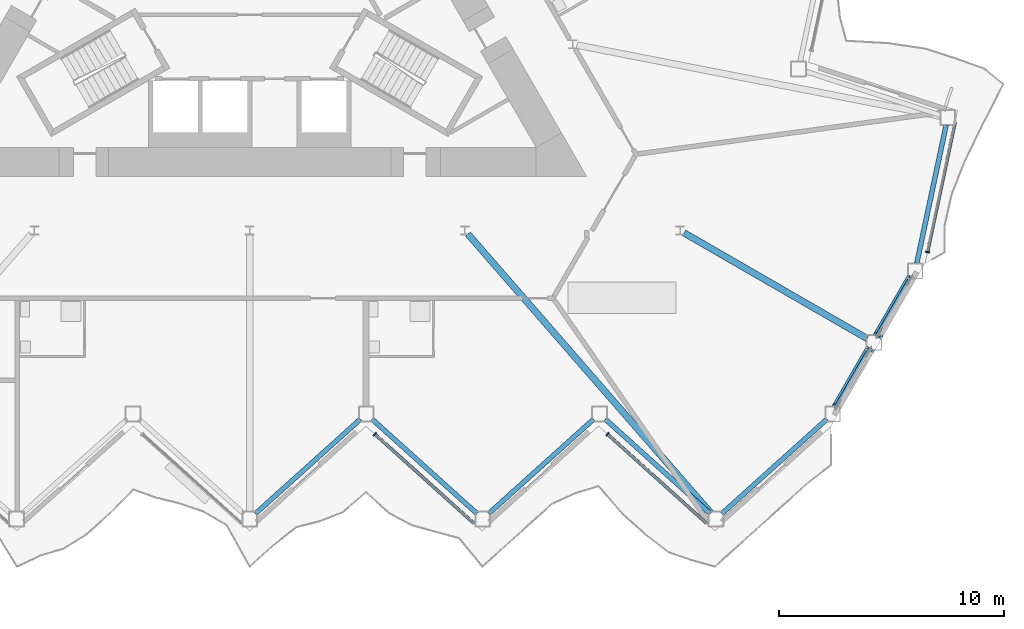
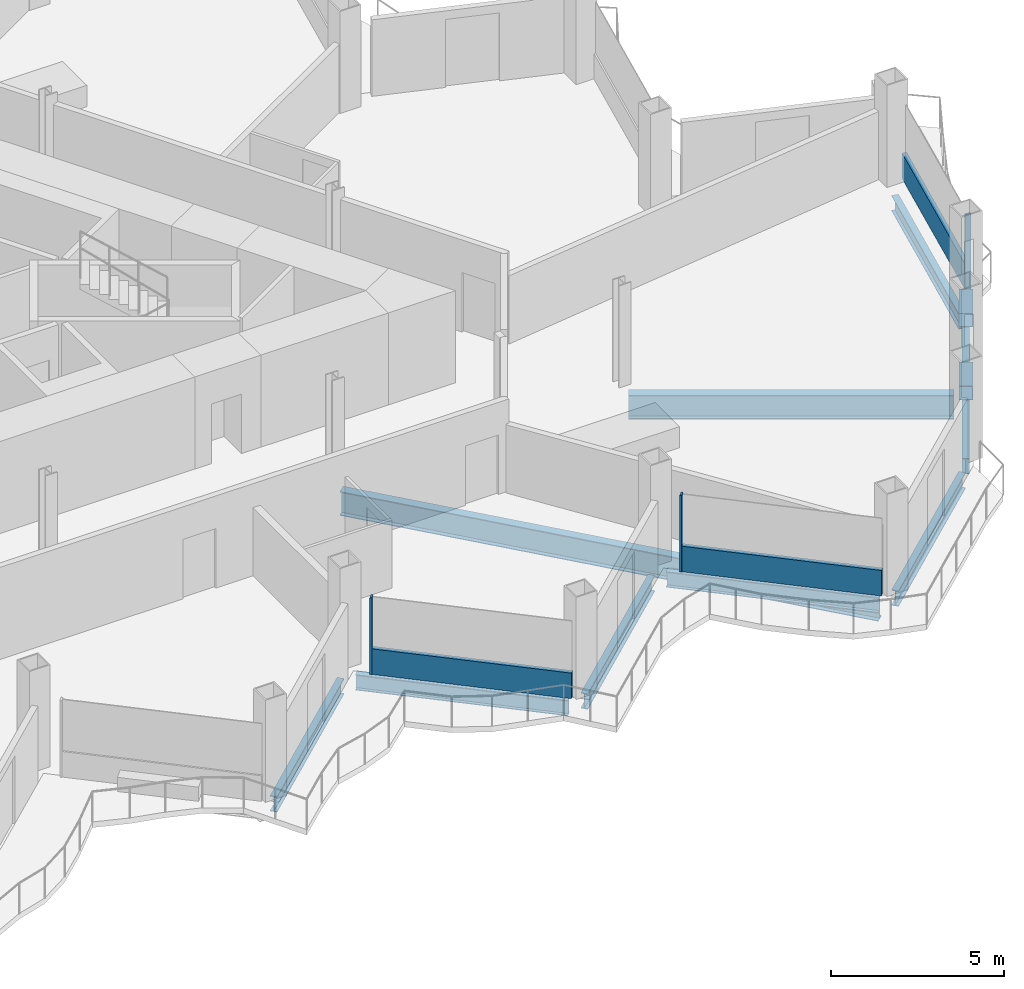
# One storey, part 6 of 23: 10 beams, 8 members, 3 elements without a shape of their own.
"""IFC4 building model written with IfcOpenShell, lengths in metres."""

import ifcopenshell
import ifcopenshell.guid

model = None  # the IFC model being written
_history = None  # IfcOwnerHistory: only IFC2X3 demands one
_inside = {}  # id of a spatial element -> (the spatial element, [elements in it])
_under = {}  # id of a project, library or spatial element -> (it, [spatial elements below it])
_declared = {}  # id of a project -> (the project, [libraries it declares])
_typed = {}  # id of a type object -> (the type object, [elements of that type])
_made_of = {}  # id of a material, layer set ... -> (it, [elements and type objects made of it])


def new_model(schema):
    """Start an empty IFC model of exactly this schema.

    Asked for "IFC4X3", IfcOpenShell would pick the latest addendum, in which some entities
    have other attributes; the version numbers below select the first issue.
    IFC2X3 requires an IfcOwnerHistory on every rooted entity: one is made here for all.
    """
    global model, _history
    if schema == "IFC4X3":
        model = ifcopenshell.file(schema_version=(4, 3, 0, 0))
    else:
        model = ifcopenshell.file(schema=schema)
    _inside.clear()
    _under.clear()
    _declared.clear()
    _typed.clear()
    _made_of.clear()
    _history = None
    if model.schema == "IFC2X3":
        org = make("IfcOrganization", Name="unknown")
        user = make(
            "IfcPersonAndOrganization",
            ThePerson=make("IfcPerson", FamilyName="unknown"),
            TheOrganization=org,
        )
        app = make(
            "IfcApplication",
            ApplicationDeveloper=org,
            Version="unknown",
            ApplicationFullName="unknown",
            ApplicationIdentifier="unknown",
        )
        _history = make(
            "IfcOwnerHistory",
            OwningUser=user,
            OwningApplication=app,
            ChangeAction="ADDED",
            CreationDate=0,
        )
    return model


def make(cls, **values):
    """One entity of the class cls with the attributes given. An attribute that is None is left unset."""
    return model.create_entity(
        cls, **{name: value for name, value in values.items() if value is not None}
    )


def rooted(cls, **values):
    """An entity with a GlobalId (a new one), such as an element, a storey or a relation."""
    return make(cls, GlobalId=ifcopenshell.guid.new(), OwnerHistory=_history, **values)


def si_unit(unit_type, name, prefix=None):
    """IfcSIUnit, for example si_unit("LENGTHUNIT", "METRE", prefix="MILLI")."""
    return make("IfcSIUnit", UnitType=unit_type, Prefix=prefix, Name=name)


def assignment(units):
    """IfcUnitAssignment: the units of a project."""
    return None if units is None else make("IfcUnitAssignment", Units=units)


def point(xyz):
    """IfcCartesianPoint."""
    return None if xyz is None else make("IfcCartesianPoint", Coordinates=xyz)


def direction(xyz):
    """IfcDirection."""
    return None if xyz is None else make("IfcDirection", DirectionRatios=xyz)


def frame(location, z_axis=None, x_axis=None):
    """IfcAxis2Placement3D, a coordinate frame: its origin and axes. An axis left out is left unset."""
    return make(
        "IfcAxis2Placement3D",
        Location=point(location),
        Axis=direction(z_axis),
        RefDirection=direction(x_axis),
    )


def frame_2d(location, x_axis=None):
    """IfcAxis2Placement2D, a coordinate frame in the plane: its origin and x axis."""
    return make(
        "IfcAxis2Placement2D", Location=point(location), RefDirection=direction(x_axis)
    )


def origin():
    """The frame at (0, 0, 0) with its axes left unset."""
    return frame((0.0, 0.0, 0.0))


def origin_2d():
    """The frame at (0, 0) in the plane with its x axis left unset."""
    return frame_2d((0.0, 0.0))


def place(relative_to, where):
    """IfcLocalPlacement: puts the frame where relative to a parent placement (None: the world)."""
    return make(
        "IfcLocalPlacement", PlacementRelTo=relative_to, RelativePlacement=where
    )


def context(
    kind, dimensions, precision=None, world=None, true_north=None, identifier=None
):
    """IfcGeometricRepresentationContext, for example the 3D "Model" context."""
    return make(
        "IfcGeometricRepresentationContext",
        ContextIdentifier=identifier,
        ContextType=kind,
        CoordinateSpaceDimension=dimensions,
        Precision=precision,
        WorldCoordinateSystem=world,
        TrueNorth=true_north,
    )


def subcontext(parent, identifier, kind, view, scale=None):
    """IfcGeometricRepresentationSubContext, for example "Body" below "Model"."""
    return make(
        "IfcGeometricRepresentationSubContext",
        ContextIdentifier=identifier,
        ContextType=kind,
        ParentContext=parent,
        TargetScale=scale,
        TargetView=view,
    )


def project(units=None, contexts=None):
    """IfcProject with its units and contexts."""
    return rooted(
        "IfcProject",
        Name="project",
        RepresentationContexts=contexts,
        UnitsInContext=assignment(units),
    )


def spatial(cls, under=None, at=None, **own):
    """A site, building, storey or space (cls), placed at a placement, below another one or the project."""
    s = rooted(cls, ObjectPlacement=at, **own)
    if under is not None:
        _under.setdefault(under.id(), (under, []))[1].append(s)
    return s


def profile(cls, at=None, kind="AREA", **sizes):
    """A parametric profile (cls). Its sizes go by their IFC names, for example OverallWidth=200.0."""
    return make(cls, ProfileType=kind, Position=at, **sizes)


def rectangle(**sizes):
    """IfcRectangleProfileDef."""
    return profile("IfcRectangleProfileDef", **sizes)


def hollow_rectangle(**sizes):
    """IfcRectangleHollowProfileDef."""
    return profile("IfcRectangleHollowProfileDef", **sizes)


def i_section(**sizes):
    """IfcIShapeProfileDef."""
    return profile("IfcIShapeProfileDef", **sizes)


def extrude(swept, where, along, depth):
    """IfcExtrudedAreaSolid: the profile swept, set in the frame where, extruded along a direction by depth."""
    return make(
        "IfcExtrudedAreaSolid",
        SweptArea=swept,
        Position=where,
        ExtrudedDirection=direction(along),
        Depth=depth,
    )


def shape(context_of_items, identifier, shape_type, items):
    """IfcShapeRepresentation: the items that make up one representation, for example the "Body"."""
    return make(
        "IfcShapeRepresentation",
        ContextOfItems=context_of_items,
        RepresentationIdentifier=identifier,
        RepresentationType=shape_type,
        Items=items,
    )


def material(Name=None, Category=None):
    """IfcMaterial."""
    return make("IfcMaterial", Name=Name, Category=Category)


def layer(
    of_material, thickness, ventilated=None, Name=None, Category=None, Priority=None
):
    """IfcMaterialLayer: one layer of a wall or slab, of a material (None: an air gap)."""
    return make(
        "IfcMaterialLayer",
        Material=of_material,
        LayerThickness=thickness,
        IsVentilated=ventilated,
        Name=Name,
        Category=Category,
        Priority=Priority,
    )


def layer_set(layers, Name=None):
    """IfcMaterialLayerSet."""
    return make("IfcMaterialLayerSet", MaterialLayers=layers, LayerSetName=Name)


def material_profile(
    of_material, cross_section, Name=None, Category=None, Priority=None
):
    """IfcMaterialProfile: a cross section and its material."""
    return make(
        "IfcMaterialProfile",
        Name=Name,
        Material=of_material,
        Profile=cross_section,
        Priority=Priority,
        Category=Category,
    )


def profile_set(profiles, Name=None, composite=None):
    """IfcMaterialProfileSet."""
    return make(
        "IfcMaterialProfileSet",
        Name=Name,
        MaterialProfiles=profiles,
        CompositeProfile=composite,
    )


def made_of(thing, what):
    """Note that an element or type object is made of a material, layer set ...; save() writes the relation."""
    if what is not None:
        _made_of.setdefault(what.id(), (what, []))[1].append(thing)
    return thing


def type_object(cls, material=None, **own):
    """A type object (cls), such as IfcWallType, which elements share."""
    return made_of(rooted(cls, **own), material)


def element(
    cls,
    number,
    at=None,
    inside=None,
    cuts=None,
    type_object=None,
    material=None,
    context=None,
    identifier="Body",
    shape_type=None,
    held_by="IfcProductDefinitionShape",
    body=None,
    shapes=None,
    **own,
):
    """One element of the class cls, such as IfcWall. Its Tag is "e" and its number.

    at: its placement. inside: the storey or other place that contains it. cuts: it is an
    opening in that element (IfcRelVoidsElement). A single representation is given by context,
    identifier, shape_type and body (its items); several are given by shapes. held_by: the class
    of the entity that holds the representations. save() writes the other relations.
    """
    e = rooted(cls, Tag="e%d" % number, ObjectPlacement=at, **own)
    if body is not None:
        shapes = [shape(context, identifier, shape_type, body)]
    if shapes is not None:
        e.Representation = make(held_by, Representations=shapes)
    if inside is not None:
        _inside.setdefault(inside.id(), (inside, []))[1].append(e)
    if cuts is not None:
        rooted(
            "IfcRelVoidsElement", RelatingBuildingElement=cuts, RelatedOpeningElement=e
        )
    if type_object is not None:
        _typed.setdefault(type_object.id(), (type_object, []))[1].append(e)
    return made_of(e, material)


def aggregate(whole, parts):
    """IfcRelAggregates: a whole, such as a stair, and the parts it consists of."""
    return rooted("IfcRelAggregates", RelatingObject=whole, RelatedObjects=parts)


def save(model, path):
    """Write the relations noted so far, then the file.

    IfcRelAggregates (storeys below a building ...), IfcRelContainedInSpatialStructure (elements
    in a storey), IfcRelDefinesByType, IfcRelAssociatesMaterial and IfcRelDeclares: one each for
    every whole, place, type object, material and project.
    """
    for whole, parts in _under.values():
        aggregate(whole, parts)
    for where, things in _inside.values():
        rooted(
            "IfcRelContainedInSpatialStructure",
            RelatedElements=things,
            RelatingStructure=where,
        )
    for kind, things in _typed.values():
        rooted("IfcRelDefinesByType", RelatedObjects=things, RelatingType=kind)
    for what, things in _made_of.values():
        rooted("IfcRelAssociatesMaterial", RelatedObjects=things, RelatingMaterial=what)
    for by, libraries in _declared.values():
        rooted("IfcRelDeclares", RelatingContext=by, RelatedDefinitions=libraries)
    model.write(path)


model = new_model("IFC4")

# Units and contexts
model_context = context("Model", 3, precision=1e-05, world=origin(), true_north=direction((0.0, 1.0)))
body_context = subcontext(model_context, "Body", "Model", "MODEL_VIEW")
ifc_project = project(units=[si_unit("LENGTHUNIT", "METRE"), si_unit("AREAUNIT", "SQUARE_METRE"), si_unit("VOLUMEUNIT", "CUBIC_METRE"), si_unit("PLANEANGLEUNIT", "RADIAN"), si_unit("MASSUNIT", "GRAM", prefix="KILO")], contexts=[model_context])

# Site, building, storey
site_placement = place(None, origin())
site = spatial("IfcSite", under=ifc_project, at=site_placement, CompositionType="ELEMENT")
building_placement = place(site_placement, origin())
building = spatial("IfcBuilding", under=site, at=building_placement, Name="Cormorant Prow Tower", CompositionType="ELEMENT")
storey_placement = place(building_placement, frame((0.0, 0.0, 241.800048828125)))
storey = spatial("IfcBuildingStorey", under=building, at=storey_placement, Name="L53", CompositionType="ELEMENT", Elevation=241.800048828125)

# Members
ifc_material_1 = material(Name="Structural steel ASTM A500 Gr C", Category="steel")
ifc_material_profile_1 = material_profile(ifc_material_1, hollow_rectangle(XDim=0.406494140625, YDim=0.406494140625, WallThickness=0.01171875, at=origin_2d()), Name="HSS16x16x1/2")
ifc_profile_set_1 = profile_set([ifc_material_profile_1], Name="Structural steel ASTM A500 Gr C")
member_type_1 = type_object("IfcMemberType", Name="Chamfer brace HSS16x16x1/2", PredefinedType="BRACE", material=ifc_profile_set_1)
for number, where, z_axis, x_axis, name in (
    (1, (27.593505859375, -16.353271484375, 0.74951171875), (-0.462773096913, -0.801606962687, 0.378506721399), (0.866041729639, -0.499971721724, 0.0), "Chamfer brace BR2 at ESE00 L53"),
    (2, (29.4287109375, -13.174560546875, 0.74951171875), (-0.462773096913, -0.801606962687, 0.378506721399), (0.866041729639, -0.499971721724, 0.0), "Chamfer brace BR2 at ESE01 L53"),
):
    element("IfcMember", number, at=place(storey_placement, frame(where, z_axis=z_axis, x_axis=x_axis)), inside=storey, type_object=member_type_1, Name=name, PredefinedType="BRACE", context=body_context, shape_type="SweptSolid", body=[
        extrude(hollow_rectangle(XDim=0.406494140625, YDim=0.406494140625, WallThickness=0.01171875, at=origin_2d()), origin(), (0.0, 0.0, 1.0), 3.17529296875),
    ])

# Curtain wall, member
ifc_material_2 = material(Name="Aluminium 6063-T6", Category="aluminium")
ifc_layer = layer(ifc_material_2, 0.179931640625)
ifc_layer_set = layer_set([ifc_layer], Name="Aluminium 6063-T6")
curtain_wall_type = type_object("IfcCurtainWallType", Name="Hotel unitised curtain wall 180", PredefinedType="NOTDEFINED", material=ifc_layer_set)
curtain_wall_1_placement = place(storey_placement, origin())
curtain_wall_1 = element("IfcCurtainWall", 3, at=curtain_wall_1_placement, inside=storey, type_object=curtain_wall_type, Name="Hotel curtain wall S06", PredefinedType="NOTDEFINED")
ifc_material_3 = material(Name="Aluminium 6063-T6", Category="aluminium")
ifc_material_profile_2 = material_profile(ifc_material_3, rectangle(XDim=0.179931640625, YDim=0.06005859375, at=origin_2d()), Name="Hotel mullion 60x180")
ifc_profile_set_2 = profile_set([ifc_material_profile_2], Name="Aluminium 6063-T6")
member_type_2 = type_object("IfcMemberType", Name="Hotel mullion 60x180", PredefinedType="MULLION", material=ifc_profile_set_2)
member_1_placement = place(storey_placement, frame((5.5703125, -20.113525390625, 0.0), z_axis=(0.0, 0.0, 1.0), x_axis=(0.669130621132, 0.743144812176, 0.0)))
member_1 = element("IfcMember", 4, at=member_1_placement, type_object=member_type_2, Name="Hotel mullion S06", PredefinedType="MULLION", context=body_context, shape_type="SweptSolid", body=[
    extrude(rectangle(XDim=0.179931640625, YDim=0.06005859375, at=origin_2d()), origin(), (0.0, 0.0, 1.0), 2.700927734375),
])

curtain_wall_2_placement = place(storey_placement, origin())
curtain_wall_2 = element("IfcCurtainWall", 5, at=curtain_wall_2_placement, inside=storey, type_object=curtain_wall_type, Name="Hotel curtain wall S08", PredefinedType="NOTDEFINED")
member_2_placement = place(storey_placement, frame((15.921630859375, -20.113525390625, 0.0), z_axis=(0.0, 0.0, 1.0), x_axis=(0.669130621132, 0.743144812176, 0.0)))
member_2 = element("IfcMember", 6, at=member_2_placement, type_object=member_type_2, Name="Hotel mullion S08", PredefinedType="MULLION", context=body_context, shape_type="SweptSolid", body=[
    extrude(rectangle(XDim=0.179931640625, YDim=0.06005859375, at=origin_2d()), origin(), (0.0, 0.0, 1.0), 2.700927734375),
])

curtain_wall_3_placement = place(storey_placement, origin())
curtain_wall_3 = element("IfcCurtainWall", 7, at=curtain_wall_3_placement, inside=storey, type_object=curtain_wall_type, Name="Hotel curtain wall ENE00", PredefinedType="NOTDEFINED")
member_3_placement = place(storey_placement, frame((30.16064453125, -12.012939453125, 0.0), z_axis=(0.0, 0.0, 1.0), x_axis=(-0.978147605727, 0.207911667327, 0.0)))
member_3 = element("IfcMember", 8, at=member_3_placement, type_object=member_type_2, Name="Hotel mullion ENE00", PredefinedType="MULLION", context=body_context, shape_type="SweptSolid", body=[
    extrude(rectangle(XDim=0.179931640625, YDim=0.06005859375, at=origin_2d()), origin(), (0.0, 0.0, 1.0), 2.700927734375),
])

# Member
ifc_material_4 = material(Name="Terracotta", Category="masonry")
ifc_material_profile_3 = material_profile(ifc_material_4, rectangle(XDim=0.139892578125, YDim=0.89990234375, at=origin_2d()), Name="Hotel terracotta spandrel rail 140x900")
ifc_profile_set_3 = profile_set([ifc_material_profile_3], Name="Terracotta")
member_type_3 = type_object("IfcMemberType", Name="Hotel terracotta spandrel rail 140x900", PredefinedType="USERDEFINED", material=ifc_profile_set_3)
member_4_placement = place(storey_placement, frame((5.592529296875, -20.133544921875, 0.449951171875), z_axis=(0.743135764778, -0.669140669148, 0.0), x_axis=(0.669140669148, 0.743135764778, 0.0)))
member_4 = element("IfcMember", 9, at=member_4_placement, type_object=member_type_3, Name="Hotel spandrel rail S06", ObjectType="TRANSOM", PredefinedType="USERDEFINED", context=body_context, shape_type="SweptSolid", body=[
    extrude(rectangle(XDim=0.139892578125, YDim=0.89990234375, at=origin_2d()), origin(), (0.0, 0.0, 1.0), 5.902587890625),
])

aggregate(curtain_wall_1, [member_1, member_4])

member_5_placement = place(storey_placement, frame((15.944091796875, -20.133544921875, 0.449951171875), z_axis=(0.743135764778, -0.669140669148, 0.0), x_axis=(0.669140669148, 0.743135764778, 0.0)))
member_5 = element("IfcMember", 10, at=member_5_placement, type_object=member_type_3, Name="Hotel spandrel rail S08", ObjectType="TRANSOM", PredefinedType="USERDEFINED", context=body_context, shape_type="SweptSolid", body=[
    extrude(rectangle(XDim=0.139892578125, YDim=0.89990234375, at=origin_2d()), origin(), (0.0, 0.0, 1.0), 5.902587890625),
])

aggregate(curtain_wall_2, [member_2, member_5])

member_6_placement = place(storey_placement, frame((30.1669921875, -11.983642578125, 0.449951171875), z_axis=(0.207921579045, 0.978145498874, 0.0), x_axis=(-0.978145498874, 0.207921579045, 0.0)))
member_6 = element("IfcMember", 11, at=member_6_placement, type_object=member_type_3, Name="Hotel spandrel rail ENE00", ObjectType="TRANSOM", PredefinedType="USERDEFINED", context=body_context, shape_type="SweptSolid", body=[
    extrude(rectangle(XDim=0.139892578125, YDim=0.89990234375, at=origin_2d()), origin(), (0.0, 0.0, 1.0), 5.902587890625),
])

aggregate(curtain_wall_3, [member_3, member_6])

# Beams
ifc_material_5 = material(Name="Structural steel ASTM A992 Gr 50", Category="steel")
ifc_material_profile_4 = material_profile(ifc_material_5, i_section(OverallWidth=0.29296875, OverallDepth=0.845703125, WebThickness=0.015380859375, FlangeThickness=0.0244140625, at=origin_2d()), Name="W33x141")
ifc_profile_set_4 = profile_set([ifc_material_profile_4], Name="Structural steel ASTM A992 Gr 50")
beam_type_1 = type_object("IfcBeamType", Name="Radial floor beam W33x141", PredefinedType="BEAM", material=ifc_profile_set_4)
beam_1_placement = place(storey_placement, frame((9.70947265625, -11.210693359375, -0.77294921875), z_axis=(0.656874593387, -0.753999846527, 0.0), x_axis=(0.753999846527, 0.656874593387, 0.0)))
element("IfcBeam", 12, at=beam_1_placement, inside=storey, type_object=beam_type_1, Name="Radial floor beam FB2 8 L53", PredefinedType="BEAM", context=body_context, shape_type="SweptSolid", body=[
    extrude(i_section(OverallWidth=0.29296875, OverallDepth=0.845703125, WebThickness=0.015380859375, FlangeThickness=0.0244140625, at=origin_2d()), origin(), (0.0, 0.0, 1.0), 16.4619140625),
])
beam_2_placement = place(storey_placement, frame((19.32958984375, -11.159912109375, -0.77294921875), z_axis=(0.866021726843, -0.500006368596, 0.0), x_axis=(0.500006368596, 0.866021726843, 0.0)))
element("IfcBeam", 13, at=beam_2_placement, inside=storey, type_object=beam_type_1, Name="Radial floor beam FB2 9 L53", PredefinedType="BEAM", context=body_context, shape_type="SweptSolid", body=[
    extrude(i_section(OverallWidth=0.29296875, OverallDepth=0.845703125, WebThickness=0.015380859375, FlangeThickness=0.0244140625, at=origin_2d()), origin(), (0.0, 0.0, 1.0), 9.40380859375),
])
ifc_material_6 = material(Name="Structural steel ASTM A992 Gr 50", Category="steel")
ifc_material_profile_5 = material_profile(ifc_material_6, i_section(OverallWidth=0.2138671875, OverallDepth=0.549072265625, WebThickness=0.0146484375, FlangeThickness=0.023681640625, at=origin_2d()), Name="W21x93")
ifc_profile_set_5 = profile_set([ifc_material_profile_5], Name="Structural steel ASTM A992 Gr 50")
beam_type_2 = type_object("IfcBeamType", Name="Spandrel beam W21x93", PredefinedType="SPANDREL", material=ifc_profile_set_5)
for number, where, z_axis, x_axis, name in (
    (14, (0.260009765625, -23.65283203125, -0.62451171875), (0.743156918576, 0.669117175368, 0.0), (-0.669117175368, 0.743156918576, 0.0), "Spandrel beam SB2 S05-S06 L53"),
    (15, (5.4482421875, -19.44970703125, -0.62451171875), (0.743156918576, -0.669117175368, 0.0), (0.669117175368, 0.743156918576, 0.0), "Spandrel beam SB2 S06-S07 L53"),
    (16, (10.636474609375, -23.65283203125, -0.62451171875), (0.743156918576, 0.669117175368, 0.0), (-0.669117175368, 0.743156918576, 0.0), "Spandrel beam SB2 S07-S08 L53"),
    (17, (15.82470703125, -19.44970703125, -0.62451171875), (0.743156918576, -0.669117175368, 0.0), (0.669117175368, 0.743156918576, 0.0), "Spandrel beam SB2 S08-S09 L53"),
    (18, (21.012939453125, -23.65283203125, -0.62451171875), (0.743156918576, 0.669117175368, 0.0), (-0.669117175368, 0.743156918576, 0.0), "Spandrel beam SB2 S09-ESE00 L53"),
):
    element("IfcBeam", number, at=place(storey_placement, frame(where, z_axis=z_axis, x_axis=x_axis)), inside=storey, type_object=beam_type_2, Name=name, PredefinedType="SPANDREL", context=body_context, shape_type="SweptSolid", body=[
        extrude(i_section(OverallWidth=0.2138671875, OverallDepth=0.549072265625, WebThickness=0.0146484375, FlangeThickness=0.023681640625, at=origin_2d()), origin(), (0.0, 0.0, 1.0), 6.281494140625),
    ])
for number, where, z_axis, x_axis, name in (
    (19, (26.1162109375, -18.912353515625, -0.62451171875), (0.499966725515, 0.866044613965, 0.0), (-0.866044613965, 0.499966725515, 0.0), "Spandrel beam SB2 ESE00-ESE01 L53"),
    (20, (27.951416015625, -15.733642578125, -0.62451171875), (0.499966725515, 0.866044613965, 0.0), (-0.866044613965, 0.499966725515, 0.0), "Spandrel beam SB2 ESE01-ENE00 L53"),
):
    element("IfcBeam", number, at=place(storey_placement, frame(where, z_axis=z_axis, x_axis=x_axis)), inside=storey, type_object=beam_type_2, Name=name, PredefinedType="SPANDREL", context=body_context, shape_type="SweptSolid", body=[
        extrude(i_section(OverallWidth=0.2138671875, OverallDepth=0.549072265625, WebThickness=0.0146484375, FlangeThickness=0.023681640625, at=origin_2d()), origin(), (0.0, 0.0, 1.0), 2.970458984375),
    ])
beam_3_placement = place(storey_placement, frame((29.684326171875, -12.515625, -0.62451171875), z_axis=(0.207941499013, 0.978141264331, 0.0), x_axis=(-0.978141264331, 0.207941499013, 0.0)))
element("IfcBeam", 21, at=beam_3_placement, inside=storey, type_object=beam_type_2, Name="Spandrel beam SB2 ENE00-ENE01 L53", PredefinedType="SPANDREL", context=body_context, shape_type="SweptSolid", body=[
    extrude(i_section(OverallWidth=0.2138671875, OverallDepth=0.549072265625, WebThickness=0.0146484375, FlangeThickness=0.023681640625, at=origin_2d()), origin(), (0.0, 0.0, 1.0), 6.28125),
])

save(model, "model.ifc")
